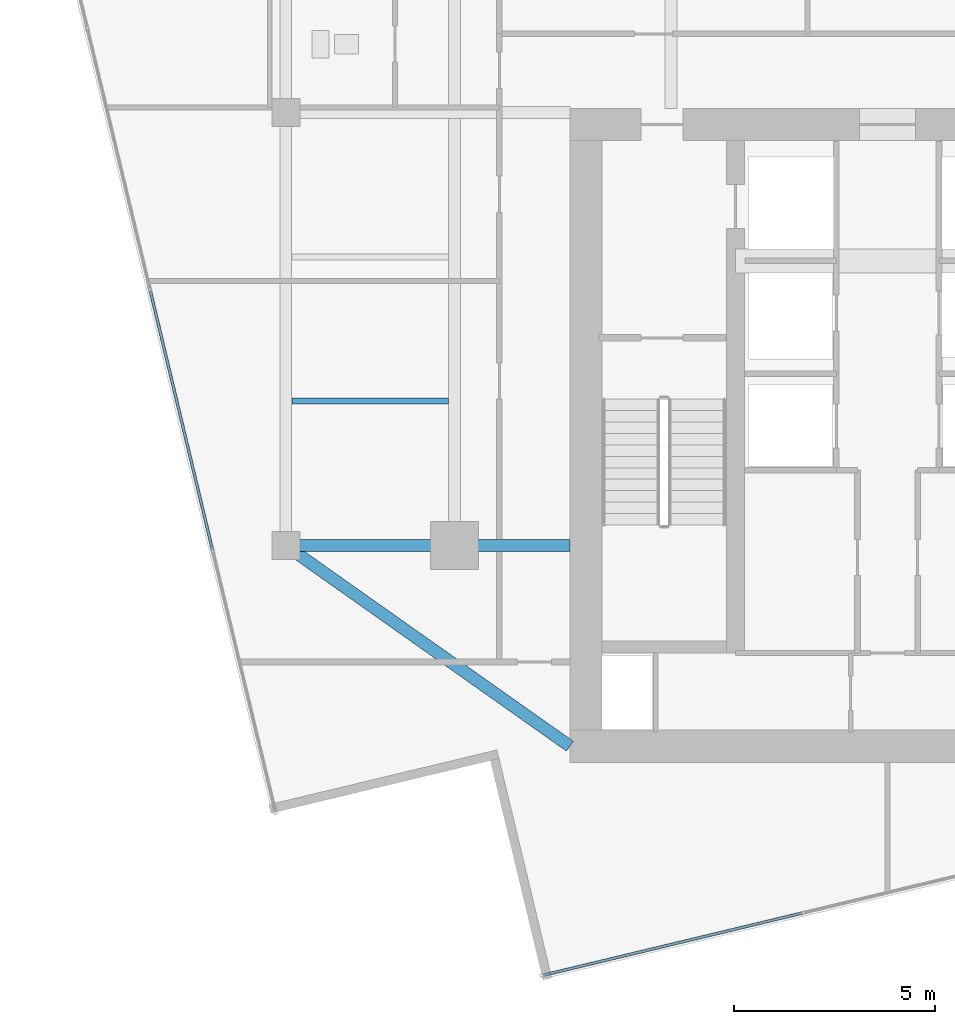
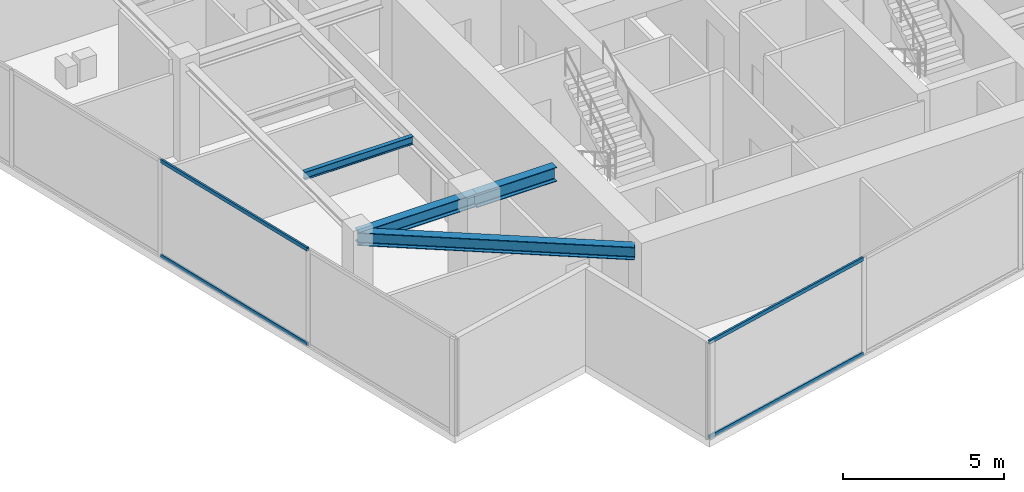
# One storey, part 3 of 22: 4 beams, 4 members, 2 elements without a shape of their own.
"""IFC4 building model written with IfcOpenShell, lengths in metres."""

from ifc_helpers import new_model, si_unit, direction, frame, origin, origin_2d, place, context, subcontext, project, spatial, hollow_rectangle, i_section, extrude, source, transform, mapped, material, material_profile, profile_set, type_object, type_shapes, element, aggregate, save


model = new_model("IFC4")

# Units and contexts
model_context = context("Model", 3, precision=1e-05, world=origin(), true_north=direction((0.0, 1.0)))
body_context = subcontext(model_context, "Body", "Model", "MODEL_VIEW")
ifc_project = project(units=[si_unit("LENGTHUNIT", "METRE"), si_unit("AREAUNIT", "SQUARE_METRE"), si_unit("VOLUMEUNIT", "CUBIC_METRE"), si_unit("PLANEANGLEUNIT", "RADIAN"), si_unit("MASSUNIT", "GRAM", prefix="KILO")], contexts=[model_context])

# Site, building, storey
site_placement = place(None, origin())
site = spatial("IfcSite", under=ifc_project, at=site_placement, CompositionType="ELEMENT")
building_placement = place(site_placement, origin())
building = spatial("IfcBuilding", under=site, at=building_placement, Name="Krantzveldt Concourse Tower", CompositionType="ELEMENT")
storey_placement = place(building_placement, frame((0.0, 0.0, 355.35009765625)))
storey = spatial("IfcBuildingStorey", under=building, at=storey_placement, Name="L87", CompositionType="ELEMENT", Elevation=355.35009765625)

# Beams
ifc_material_1 = material(Name="Steel S355JR", Category="steel")
ifc_material_profile_1 = material_profile(ifc_material_1, i_section(OverallWidth=0.300048828125, OverallDepth=0.489990234375, WebThickness=0.011962890625, FlangeThickness=0.02294921875, FilletRadius=0.027099609375, at=origin_2d()), Name="Steel S355JR", Category="steel")
ifc_profile_set_1 = profile_set([ifc_material_profile_1], Name="Steel S355JR - HEA 500")
beam_type_1 = type_object("IfcBeamType", Name="BM-B-HEA500", PredefinedType="BEAM", material=ifc_profile_set_1)
shared_shape_1 = source(origin(), body_context, "Body", "SweptSolid", [
    extrude(i_section(OverallWidth=0.300048828125, OverallDepth=0.489990234375, WebThickness=0.011962890625, FlangeThickness=0.02294921875, FilletRadius=0.027099609375, at=origin_2d()), origin(), (0.0, 0.0, 1.0), 4.199951171875),
])
beam_1_placement = place(storey_placement, frame((21.0, 15.89990234375, 3.4248046875), z_axis=(1.0, 0.0, 0.0), x_axis=(0.0, 1.0, 0.0)))
element("IfcBeam", 1, at=beam_1_placement, inside=storey, type_object=beam_type_1, Name="L87 Tower Girder BR-RL1", PredefinedType="BEAM", context=body_context, shape_type="MappedRepresentation", body=[
    mapped(shared_shape_1, transform((0.0, 0.0, 0.0), x_axis=(1.0, 0.0, 0.0), y_axis=(0.0, 1.0, 0.0), z_axis=(0.0, 0.0, 1.0), scale=1.0)),
])
shared_shape_2 = source(origin(), body_context, "Body", "SweptSolid", [
    extrude(i_section(OverallWidth=0.300048828125, OverallDepth=0.489990234375, WebThickness=0.011962890625, FlangeThickness=0.02294921875, FilletRadius=0.027099609375, at=origin_2d()), origin(), (0.0, 0.0, 1.0), 8.667724609375),
])
type_shapes(beam_type_1, [shared_shape_1, shared_shape_2])
beam_2_placement = place(storey_placement, frame((21.0, 15.89990234375, 3.4248046875), z_axis=(0.81684294656, -0.576860122261, 0.0), x_axis=(0.576860122261, 0.81684294656, 0.0)))
element("IfcBeam", 2, at=beam_2_placement, inside=storey, type_object=beam_type_1, Name="L87 Tower Girder BR-CSW", PredefinedType="BEAM", context=body_context, shape_type="MappedRepresentation", body=[
    mapped(shared_shape_2, transform((0.0, 0.0, 0.0), x_axis=(1.0, 0.0, 0.0), y_axis=(0.0, 1.0, 0.0), z_axis=(0.0, 0.0, 1.0), scale=1.0)),
])
ifc_material_profile_2 = material_profile(ifc_material_1, i_section(OverallWidth=0.300048828125, OverallDepth=0.5400390625, WebThickness=0.012451171875, FlangeThickness=0.02392578125, FilletRadius=0.027099609375, at=origin_2d()), Name="Steel S355JR", Category="steel")
ifc_profile_set_2 = profile_set([ifc_material_profile_2], Name="Steel S355JR - HEA 550")
beam_type_2 = type_object("IfcBeamType", Name="BM-B-HEA550", PredefinedType="BEAM", material=ifc_profile_set_2)
shared_shape_3 = source(origin(), body_context, "Body", "SweptSolid", [
    extrude(i_section(OverallWidth=0.300048828125, OverallDepth=0.5400390625, WebThickness=0.012451171875, FlangeThickness=0.02392578125, FilletRadius=0.027099609375, at=origin_2d()), origin(), (0.0, 0.0, 1.0), 2.880126953125),
])
type_shapes(beam_type_2, [shared_shape_3])
beam_3_placement = place(storey_placement, frame((25.199951171875, 15.89990234375, 3.39990234375), z_axis=(1.0, 0.0, 0.0), x_axis=(0.0, 1.0, 0.0)))
element("IfcBeam", 3, at=beam_3_placement, inside=storey, type_object=beam_type_2, Name="L87 Tower Girder BG-CW1", PredefinedType="BEAM", context=body_context, shape_type="MappedRepresentation", body=[
    mapped(shared_shape_3, transform((0.0, 0.0, 0.0), x_axis=(1.0, 0.0, 0.0), y_axis=(0.0, 1.0, 0.0), z_axis=(0.0, 0.0, 1.0), scale=1.0)),
])
ifc_material_profile_3 = material_profile(ifc_material_1, i_section(OverallWidth=0.14990234375, OverallDepth=0.300048828125, WebThickness=0.007080078125, FlangeThickness=0.0107421875, FilletRadius=0.014892578125, at=origin_2d()), Name="Steel S355JR", Category="steel")
ifc_profile_set_3 = profile_set([ifc_material_profile_3], Name="Steel S355JR - IPE 300")
beam_type_3 = type_object("IfcBeamType", Name="BM-J-IPE300", PredefinedType="JOIST", material=ifc_profile_set_3)
shared_shape_4 = source(origin(), body_context, "Body", "SweptSolid", [
    extrude(i_section(OverallWidth=0.14990234375, OverallDepth=0.300048828125, WebThickness=0.007080078125, FlangeThickness=0.0107421875, FilletRadius=0.014892578125, at=origin_2d()), origin(), (0.0, 0.0, 1.0), 3.900146484375),
])
type_shapes(beam_type_3, [shared_shape_4])
beam_4_placement = place(storey_placement, frame((21.14990234375, 19.5, 3.52001953125), z_axis=(1.0, 0.0, 0.0), x_axis=(0.0, 1.0, 0.0)))
element("IfcBeam", 4, at=beam_4_placement, inside=storey, type_object=beam_type_3, Name="L87 Secondary Floor Joist JW-1", PredefinedType="JOIST", context=body_context, shape_type="MappedRepresentation", body=[
    mapped(shared_shape_4, transform((0.0, 0.0, 0.0), x_axis=(1.0, 0.0, 0.0), y_axis=(0.0, 1.0, 0.0), z_axis=(0.0, 0.0, 1.0), scale=1.0)),
])

# Curtain wall, members
ifc_material_2 = material(Name="Anodised aluminium 6063-T6", Category="aluminium")
curtain_wall_type = type_object("IfcCurtainWallType", Name="CW4", PredefinedType="USERDEFINED", material=ifc_material_2)
curtain_wall_1_placement = place(storey_placement, origin())
curtain_wall_1 = element("IfcCurtainWall", 5, at=curtain_wall_1_placement, inside=storey, type_object=curtain_wall_type, Name="CW-L87-F07", ObjectType="UNITISED CURTAIN WALL", PredefinedType="USERDEFINED")
ifc_material_profile_4 = material_profile(ifc_material_2, hollow_rectangle(XDim=0.070068359375, YDim=0.139892578125, WallThickness=0.0048828125, at=origin_2d()), Name="Anodised aluminium 6063-T6", Category="aluminium")
ifc_profile_set_4 = profile_set([ifc_material_profile_4], Name="Anodised aluminium 6063-T6 - ALU-TRAN 140x70x5")
member_type = type_object("IfcMemberType", Name="CW-TRN-150", PredefinedType="USERDEFINED", material=ifc_profile_set_4)
shared_shape_5 = source(origin(), body_context, "Body", "SweptSolid", [
    extrude(hollow_rectangle(XDim=0.070068359375, YDim=0.139892578125, WallThickness=0.0048828125, at=origin_2d()), origin(), (0.0, 0.0, 1.0), 6.594970703125),
])
member_1_placement = place(storey_placement, frame((27.45263671875, 5.20068359375, 0.034912109375), z_axis=(0.972371170466, 0.233440156887, 0.0), x_axis=(-0.233440156887, 0.972371170466, 0.0)))
member_1 = element("IfcMember", 6, at=member_1_placement, type_object=member_type, Name="CW-Z56 transom 1.1", ObjectType="TRANSOM", PredefinedType="USERDEFINED", context=body_context, shape_type="MappedRepresentation", body=[
    mapped(shared_shape_5, transform((0.0, 0.0, 0.0), x_axis=(1.0, 0.0, 0.0), y_axis=(0.0, 1.0, 0.0), z_axis=(0.0, 0.0, 1.0), scale=1.0)),
])
member_2_placement = place(storey_placement, frame((27.45263671875, 5.20068359375, 3.635009765625), z_axis=(0.972371170466, 0.233440156887, 0.0), x_axis=(-0.233440156887, 0.972371170466, 0.0)))
member_2 = element("IfcMember", 7, at=member_2_placement, type_object=member_type, Name="CW-Z56 transom 1.2", ObjectType="TRANSOM", PredefinedType="USERDEFINED", context=body_context, shape_type="MappedRepresentation", body=[
    mapped(shared_shape_5, transform((0.0, 0.0, 0.0), x_axis=(1.0, 0.0, 0.0), y_axis=(0.0, 1.0, 0.0), z_axis=(0.0, 0.0, 1.0), scale=1.0)),
])
aggregate(curtain_wall_1, [member_1, member_2])

curtain_wall_2_placement = place(storey_placement, origin())
curtain_wall_2 = element("IfcCurtainWall", 8, at=curtain_wall_2_placement, inside=storey, type_object=curtain_wall_type, Name="CW-L87-F04", ObjectType="UNITISED CURTAIN WALL", PredefinedType="USERDEFINED")
shared_shape_6 = source(origin(), body_context, "Body", "SweptSolid", [
    extrude(hollow_rectangle(XDim=0.070068359375, YDim=0.139892578125, WallThickness=0.0048828125, at=origin_2d()), origin(), (0.0, 0.0, 1.0), 6.6298828125),
])
type_shapes(member_type, [shared_shape_5, shared_shape_6])
member_3_placement = place(storey_placement, frame((17.62060546875, 22.25146484375, 0.034912109375), z_axis=(0.233462085953, -0.972365905625, 0.0), x_axis=(0.972365905625, 0.233462085953, 0.0)))
member_3 = element("IfcMember", 9, at=member_3_placement, type_object=member_type, Name="CW-Z56 transom 3.1", ObjectType="TRANSOM", PredefinedType="USERDEFINED", context=body_context, shape_type="MappedRepresentation", body=[
    mapped(shared_shape_6, transform((0.0, 0.0, 0.0), x_axis=(1.0, 0.0, 0.0), y_axis=(0.0, 1.0, 0.0), z_axis=(0.0, 0.0, 1.0), scale=1.0)),
])
member_4_placement = place(storey_placement, frame((17.62060546875, 22.25146484375, 3.635009765625), z_axis=(0.233462085953, -0.972365905625, 0.0), x_axis=(0.972365905625, 0.233462085953, 0.0)))
member_4 = element("IfcMember", 10, at=member_4_placement, type_object=member_type, Name="CW-Z56 transom 3.2", ObjectType="TRANSOM", PredefinedType="USERDEFINED", context=body_context, shape_type="MappedRepresentation", body=[
    mapped(shared_shape_6, transform((0.0, 0.0, 0.0), x_axis=(1.0, 0.0, 0.0), y_axis=(0.0, 1.0, 0.0), z_axis=(0.0, 0.0, 1.0), scale=1.0)),
])
aggregate(curtain_wall_2, [member_3, member_4])

save(model, "model.ifc")
